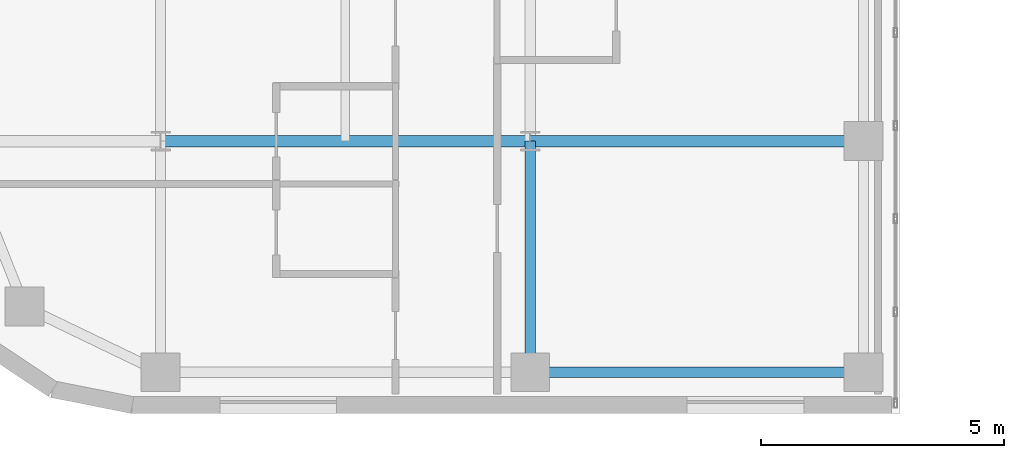
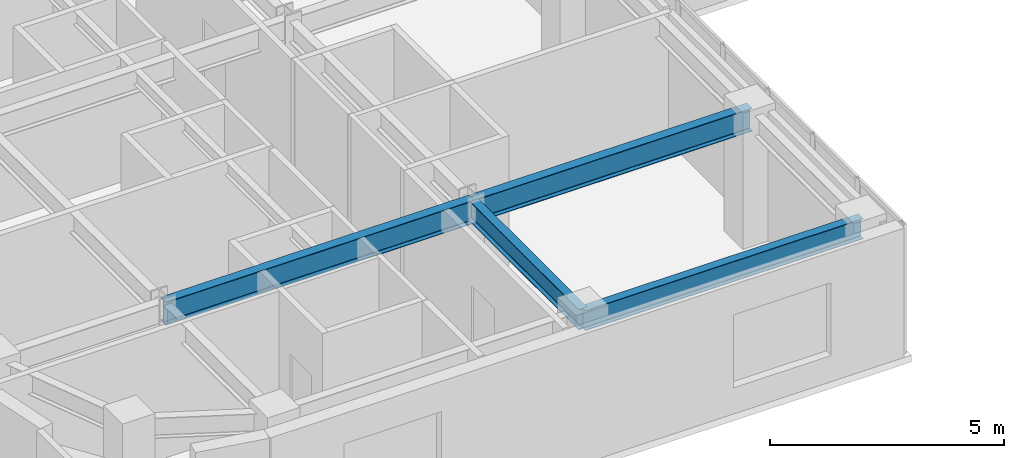
# One storey, part 4 of 24: 4 beams.
"""IFC4 building model written with IfcOpenShell, lengths in metres."""

import ifcopenshell
import ifcopenshell.guid

model = None  # the IFC model being written
_history = None  # IfcOwnerHistory: only IFC2X3 demands one
_inside = {}  # id of a spatial element -> (the spatial element, [elements in it])
_under = {}  # id of a project, library or spatial element -> (it, [spatial elements below it])
_declared = {}  # id of a project -> (the project, [libraries it declares])
_typed = {}  # id of a type object -> (the type object, [elements of that type])
_made_of = {}  # id of a material, layer set ... -> (it, [elements and type objects made of it])


def new_model(schema):
    """Start an empty IFC model of exactly this schema.

    Asked for "IFC4X3", IfcOpenShell would pick the latest addendum, in which some entities
    have other attributes; the version numbers below select the first issue.
    IFC2X3 requires an IfcOwnerHistory on every rooted entity: one is made here for all.
    """
    global model, _history
    if schema == "IFC4X3":
        model = ifcopenshell.file(schema_version=(4, 3, 0, 0))
    else:
        model = ifcopenshell.file(schema=schema)
    _inside.clear()
    _under.clear()
    _declared.clear()
    _typed.clear()
    _made_of.clear()
    _history = None
    if model.schema == "IFC2X3":
        org = make("IfcOrganization", Name="unknown")
        user = make(
            "IfcPersonAndOrganization",
            ThePerson=make("IfcPerson", FamilyName="unknown"),
            TheOrganization=org,
        )
        app = make(
            "IfcApplication",
            ApplicationDeveloper=org,
            Version="unknown",
            ApplicationFullName="unknown",
            ApplicationIdentifier="unknown",
        )
        _history = make(
            "IfcOwnerHistory",
            OwningUser=user,
            OwningApplication=app,
            ChangeAction="ADDED",
            CreationDate=0,
        )
    return model


def make(cls, **values):
    """One entity of the class cls with the attributes given. An attribute that is None is left unset."""
    return model.create_entity(
        cls, **{name: value for name, value in values.items() if value is not None}
    )


def rooted(cls, **values):
    """An entity with a GlobalId (a new one), such as an element, a storey or a relation."""
    return make(cls, GlobalId=ifcopenshell.guid.new(), OwnerHistory=_history, **values)


def si_unit(unit_type, name, prefix=None):
    """IfcSIUnit, for example si_unit("LENGTHUNIT", "METRE", prefix="MILLI")."""
    return make("IfcSIUnit", UnitType=unit_type, Prefix=prefix, Name=name)


def assignment(units):
    """IfcUnitAssignment: the units of a project."""
    return None if units is None else make("IfcUnitAssignment", Units=units)


def point(xyz):
    """IfcCartesianPoint."""
    return None if xyz is None else make("IfcCartesianPoint", Coordinates=xyz)


def direction(xyz):
    """IfcDirection."""
    return None if xyz is None else make("IfcDirection", DirectionRatios=xyz)


def frame(location, z_axis=None, x_axis=None):
    """IfcAxis2Placement3D, a coordinate frame: its origin and axes. An axis left out is left unset."""
    return make(
        "IfcAxis2Placement3D",
        Location=point(location),
        Axis=direction(z_axis),
        RefDirection=direction(x_axis),
    )


def frame_2d(location, x_axis=None):
    """IfcAxis2Placement2D, a coordinate frame in the plane: its origin and x axis."""
    return make(
        "IfcAxis2Placement2D", Location=point(location), RefDirection=direction(x_axis)
    )


def origin():
    """The frame at (0, 0, 0) with its axes left unset."""
    return frame((0.0, 0.0, 0.0))


def origin_2d():
    """The frame at (0, 0) in the plane with its x axis left unset."""
    return frame_2d((0.0, 0.0))


def place(relative_to, where):
    """IfcLocalPlacement: puts the frame where relative to a parent placement (None: the world)."""
    return make(
        "IfcLocalPlacement", PlacementRelTo=relative_to, RelativePlacement=where
    )


def context(
    kind, dimensions, precision=None, world=None, true_north=None, identifier=None
):
    """IfcGeometricRepresentationContext, for example the 3D "Model" context."""
    return make(
        "IfcGeometricRepresentationContext",
        ContextIdentifier=identifier,
        ContextType=kind,
        CoordinateSpaceDimension=dimensions,
        Precision=precision,
        WorldCoordinateSystem=world,
        TrueNorth=true_north,
    )


def subcontext(parent, identifier, kind, view, scale=None):
    """IfcGeometricRepresentationSubContext, for example "Body" below "Model"."""
    return make(
        "IfcGeometricRepresentationSubContext",
        ContextIdentifier=identifier,
        ContextType=kind,
        ParentContext=parent,
        TargetScale=scale,
        TargetView=view,
    )


def project(units=None, contexts=None):
    """IfcProject with its units and contexts."""
    return rooted(
        "IfcProject",
        Name="project",
        RepresentationContexts=contexts,
        UnitsInContext=assignment(units),
    )


def spatial(cls, under=None, at=None, **own):
    """A site, building, storey or space (cls), placed at a placement, below another one or the project."""
    s = rooted(cls, ObjectPlacement=at, **own)
    if under is not None:
        _under.setdefault(under.id(), (under, []))[1].append(s)
    return s


def profile(cls, at=None, kind="AREA", **sizes):
    """A parametric profile (cls). Its sizes go by their IFC names, for example OverallWidth=200.0."""
    return make(cls, ProfileType=kind, Position=at, **sizes)


def i_section(**sizes):
    """IfcIShapeProfileDef."""
    return profile("IfcIShapeProfileDef", **sizes)


def extrude(swept, where, along, depth):
    """IfcExtrudedAreaSolid: the profile swept, set in the frame where, extruded along a direction by depth."""
    return make(
        "IfcExtrudedAreaSolid",
        SweptArea=swept,
        Position=where,
        ExtrudedDirection=direction(along),
        Depth=depth,
    )


def shape(context_of_items, identifier, shape_type, items):
    """IfcShapeRepresentation: the items that make up one representation, for example the "Body"."""
    return make(
        "IfcShapeRepresentation",
        ContextOfItems=context_of_items,
        RepresentationIdentifier=identifier,
        RepresentationType=shape_type,
        Items=items,
    )


def source(mapping_origin, context_of_items, identifier, shape_type, items):
    """IfcRepresentationMap: a shape defined once, which mapped items show again and again."""
    return make(
        "IfcRepresentationMap",
        MappingOrigin=mapping_origin,
        MappedRepresentation=shape(context_of_items, identifier, shape_type, items),
    )


def transform(
    local_origin,
    x_axis=None,
    y_axis=None,
    z_axis=None,
    scale=None,
    scale2=None,
    scale3=None,
    uniform=True,
):
    """IfcCartesianTransformationOperator3D, or its non-uniform kind. x_axis, y_axis, z_axis: its Axis1, 2, 3."""
    if uniform:
        return make(
            "IfcCartesianTransformationOperator3D",
            Axis1=direction(x_axis),
            Axis2=direction(y_axis),
            LocalOrigin=point(local_origin),
            Scale=scale,
            Axis3=direction(z_axis),
        )
    return make(
        "IfcCartesianTransformationOperator3DnonUniform",
        Axis1=direction(x_axis),
        Axis2=direction(y_axis),
        LocalOrigin=point(local_origin),
        Scale=scale,
        Axis3=direction(z_axis),
        Scale2=scale2,
        Scale3=scale3,
    )


def mapped(mapping_source, mapping_target):
    """IfcMappedItem: shows the shape of a source again, moved by a transform."""
    return make(
        "IfcMappedItem", MappingSource=mapping_source, MappingTarget=mapping_target
    )


def material(Name=None, Category=None):
    """IfcMaterial."""
    return make("IfcMaterial", Name=Name, Category=Category)


def material_profile(
    of_material, cross_section, Name=None, Category=None, Priority=None
):
    """IfcMaterialProfile: a cross section and its material."""
    return make(
        "IfcMaterialProfile",
        Name=Name,
        Material=of_material,
        Profile=cross_section,
        Priority=Priority,
        Category=Category,
    )


def profile_set(profiles, Name=None, composite=None):
    """IfcMaterialProfileSet."""
    return make(
        "IfcMaterialProfileSet",
        Name=Name,
        MaterialProfiles=profiles,
        CompositeProfile=composite,
    )


def made_of(thing, what):
    """Note that an element or type object is made of a material, layer set ...; save() writes the relation."""
    if what is not None:
        _made_of.setdefault(what.id(), (what, []))[1].append(thing)
    return thing


def type_object(cls, material=None, **own):
    """A type object (cls), such as IfcWallType, which elements share."""
    return made_of(rooted(cls, **own), material)


def type_shapes(of_type, sources):
    """Give a type object the sources (RepresentationMaps) that its elements show as mapped items."""
    of_type.RepresentationMaps = sources


def element(
    cls,
    number,
    at=None,
    inside=None,
    cuts=None,
    type_object=None,
    material=None,
    context=None,
    identifier="Body",
    shape_type=None,
    held_by="IfcProductDefinitionShape",
    body=None,
    shapes=None,
    **own,
):
    """One element of the class cls, such as IfcWall. Its Tag is "e" and its number.

    at: its placement. inside: the storey or other place that contains it. cuts: it is an
    opening in that element (IfcRelVoidsElement). A single representation is given by context,
    identifier, shape_type and body (its items); several are given by shapes. held_by: the class
    of the entity that holds the representations. save() writes the other relations.
    """
    e = rooted(cls, Tag="e%d" % number, ObjectPlacement=at, **own)
    if body is not None:
        shapes = [shape(context, identifier, shape_type, body)]
    if shapes is not None:
        e.Representation = make(held_by, Representations=shapes)
    if inside is not None:
        _inside.setdefault(inside.id(), (inside, []))[1].append(e)
    if cuts is not None:
        rooted(
            "IfcRelVoidsElement", RelatingBuildingElement=cuts, RelatedOpeningElement=e
        )
    if type_object is not None:
        _typed.setdefault(type_object.id(), (type_object, []))[1].append(e)
    return made_of(e, material)


def aggregate(whole, parts):
    """IfcRelAggregates: a whole, such as a stair, and the parts it consists of."""
    return rooted("IfcRelAggregates", RelatingObject=whole, RelatedObjects=parts)


def save(model, path):
    """Write the relations noted so far, then the file.

    IfcRelAggregates (storeys below a building ...), IfcRelContainedInSpatialStructure (elements
    in a storey), IfcRelDefinesByType, IfcRelAssociatesMaterial and IfcRelDeclares: one each for
    every whole, place, type object, material and project.
    """
    for whole, parts in _under.values():
        aggregate(whole, parts)
    for where, things in _inside.values():
        rooted(
            "IfcRelContainedInSpatialStructure",
            RelatedElements=things,
            RelatingStructure=where,
        )
    for kind, things in _typed.values():
        rooted("IfcRelDefinesByType", RelatedObjects=things, RelatingType=kind)
    for what, things in _made_of.values():
        rooted("IfcRelAssociatesMaterial", RelatedObjects=things, RelatingMaterial=what)
    for by, libraries in _declared.values():
        rooted("IfcRelDeclares", RelatingContext=by, RelatedDefinitions=libraries)
    model.write(path)


model = new_model("IFC4")

# Units and contexts
model_context = context("Model", 3, precision=1e-05, world=origin(), true_north=direction((0.0, 1.0)))
body_context = subcontext(model_context, "Body", "Model", "MODEL_VIEW")
ifc_project = project(units=[si_unit("LENGTHUNIT", "METRE"), si_unit("AREAUNIT", "SQUARE_METRE"), si_unit("VOLUMEUNIT", "CUBIC_METRE"), si_unit("PLANEANGLEUNIT", "RADIAN"), si_unit("MASSUNIT", "GRAM", prefix="KILO")], contexts=[model_context])

# Site, building, storey
site_placement = place(None, origin())
site = spatial("IfcSite", under=ifc_project, at=site_placement, CompositionType="ELEMENT")
building_placement = place(site_placement, origin())
building = spatial("IfcBuilding", under=site, at=building_placement, Name="Tolvann Quenvar Hotel", CompositionType="ELEMENT")
storey_placement = place(building_placement, frame((0.0, 0.0, 157.699951171875)))
storey = spatial("IfcBuildingStorey", under=building, at=storey_placement, Name="L41", CompositionType="ELEMENT", Elevation=157.699951171875)

# Beams
ifc_material = material(Name="Steel Grade 350", Category="steel")
ifc_material_profile_1 = material_profile(ifc_material, i_section(OverallWidth=0.208984375, OverallDepth=0.528076171875, WebThickness=0.009521484375, FlangeThickness=0.01318359375, FilletRadius=0.013916015625, at=origin_2d()), Name="530UB82")
ifc_profile_set_1 = profile_set([ifc_material_profile_1], Name="Steel Grade 350")
beam_type_1 = type_object("IfcBeamType", Name="BM_SPAND_530UB82", PredefinedType="SPANDREL", material=ifc_profile_set_1)
shared_shape_1 = source(origin(), body_context, "Body", "SweptSolid", [
    extrude(i_section(OverallWidth=0.208984375, OverallDepth=0.528076171875, WebThickness=0.009521484375, FlangeThickness=0.01318359375, FilletRadius=0.013916015625, at=origin_2d()), origin(), (0.0, 0.0, 1.0), 6.85009765625),
])
type_shapes(beam_type_1, [shared_shape_1])
beam_1_placement = place(storey_placement, frame((15.199951171875, 3.449951171875, 3.10595703125), z_axis=(1.0, 0.0, 0.0), x_axis=(0.0, 1.0, 0.0)))
element("IfcBeam", 1, at=beam_1_placement, inside=storey, type_object=beam_type_1, Name="BM-L41-EW-2-D2-E2", PredefinedType="SPANDREL", context=body_context, shape_type="MappedRepresentation", body=[
    mapped(shared_shape_1, transform((0.0, 0.0, 0.0), x_axis=(1.0, 0.0, 0.0), y_axis=(0.0, 1.0, 0.0), z_axis=(0.0, 0.0, 1.0), scale=1.0)),
])
ifc_material_profile_2 = material_profile(ifc_material, i_section(OverallWidth=0.22802734375, OverallDepth=0.60205078125, WebThickness=0.010498046875, FlangeThickness=0.014892578125, FilletRadius=0.013916015625, at=origin_2d()), Name="610UB101")
ifc_profile_set_2 = profile_set([ifc_material_profile_2], Name="Steel Grade 350")
beam_type_2 = type_object("IfcBeamType", Name="BM_GIRD_610UB101", PredefinedType="BEAM", material=ifc_profile_set_2)
shared_shape_2 = source(origin(), body_context, "Body", "SweptSolid", [
    extrude(i_section(OverallWidth=0.22802734375, OverallDepth=0.60205078125, WebThickness=0.010498046875, FlangeThickness=0.014892578125, FilletRadius=0.013916015625, at=origin_2d()), origin(), (0.0, 0.0, 1.0), 7.599853515625),
])
beam_2_placement = place(storey_placement, frame((7.60009765625, 8.199951171875, 3.069091796875), z_axis=(1.0, 0.0, 0.0), x_axis=(0.0, 1.0, 0.0)))
element("IfcBeam", 2, at=beam_2_placement, inside=storey, type_object=beam_type_2, Name="BM-L41-EW-3-C3-D3", PredefinedType="BEAM", context=body_context, shape_type="MappedRepresentation", body=[
    mapped(shared_shape_2, transform((0.0, 0.0, 0.0), x_axis=(1.0, 0.0, 0.0), y_axis=(0.0, 1.0, 0.0), z_axis=(0.0, 0.0, 1.0), scale=1.0)),
])
shared_shape_3 = source(origin(), body_context, "Body", "SweptSolid", [
    extrude(i_section(OverallWidth=0.22802734375, OverallDepth=0.60205078125, WebThickness=0.010498046875, FlangeThickness=0.014892578125, FilletRadius=0.013916015625, at=origin_2d()), origin(), (0.0, 0.0, 1.0), 6.85009765625),
])
type_shapes(beam_type_2, [shared_shape_2, shared_shape_3])
beam_3_placement = place(storey_placement, frame((15.199951171875, 8.199951171875, 3.069091796875), z_axis=(1.0, 0.0, 0.0), x_axis=(0.0, 1.0, 0.0)))
element("IfcBeam", 3, at=beam_3_placement, inside=storey, type_object=beam_type_2, Name="BM-L41-EW-3-D3-E3", PredefinedType="BEAM", context=body_context, shape_type="MappedRepresentation", body=[
    mapped(shared_shape_3, transform((0.0, 0.0, 0.0), x_axis=(1.0, 0.0, 0.0), y_axis=(0.0, 1.0, 0.0), z_axis=(0.0, 0.0, 1.0), scale=1.0)),
])
ifc_material_profile_3 = material_profile(ifc_material, i_section(OverallWidth=0.208984375, OverallDepth=0.532958984375, WebThickness=0.01025390625, FlangeThickness=0.015625, FilletRadius=0.013916015625, at=origin_2d()), Name="530UB92")
ifc_profile_set_3 = profile_set([ifc_material_profile_3], Name="Steel Grade 350")
beam_type_3 = type_object("IfcBeamType", Name="BM_GIRD_530UB92", PredefinedType="BEAM", material=ifc_profile_set_3)
shared_shape_4 = source(origin(), body_context, "Body", "SweptSolid", [
    extrude(i_section(OverallWidth=0.208984375, OverallDepth=0.532958984375, WebThickness=0.01025390625, FlangeThickness=0.015625, FilletRadius=0.013916015625, at=origin_2d()), origin(), (0.0, 0.0, 1.0), 4.75),
])
type_shapes(beam_type_3, [shared_shape_4])
beam_4_placement = place(storey_placement, frame((15.199951171875, 3.449951171875, 3.103515625), z_axis=(0.0, 1.0, 0.0), x_axis=(-1.0, 0.0, 0.0)))
element("IfcBeam", 4, at=beam_4_placement, inside=storey, type_object=beam_type_3, Name="BM-L41-NS-D2-D3", PredefinedType="BEAM", context=body_context, shape_type="MappedRepresentation", body=[
    mapped(shared_shape_4, transform((0.0, 0.0, 0.0), x_axis=(1.0, 0.0, 0.0), y_axis=(0.0, 1.0, 0.0), z_axis=(0.0, 0.0, 1.0), scale=1.0)),
])

save(model, "model.ifc")
